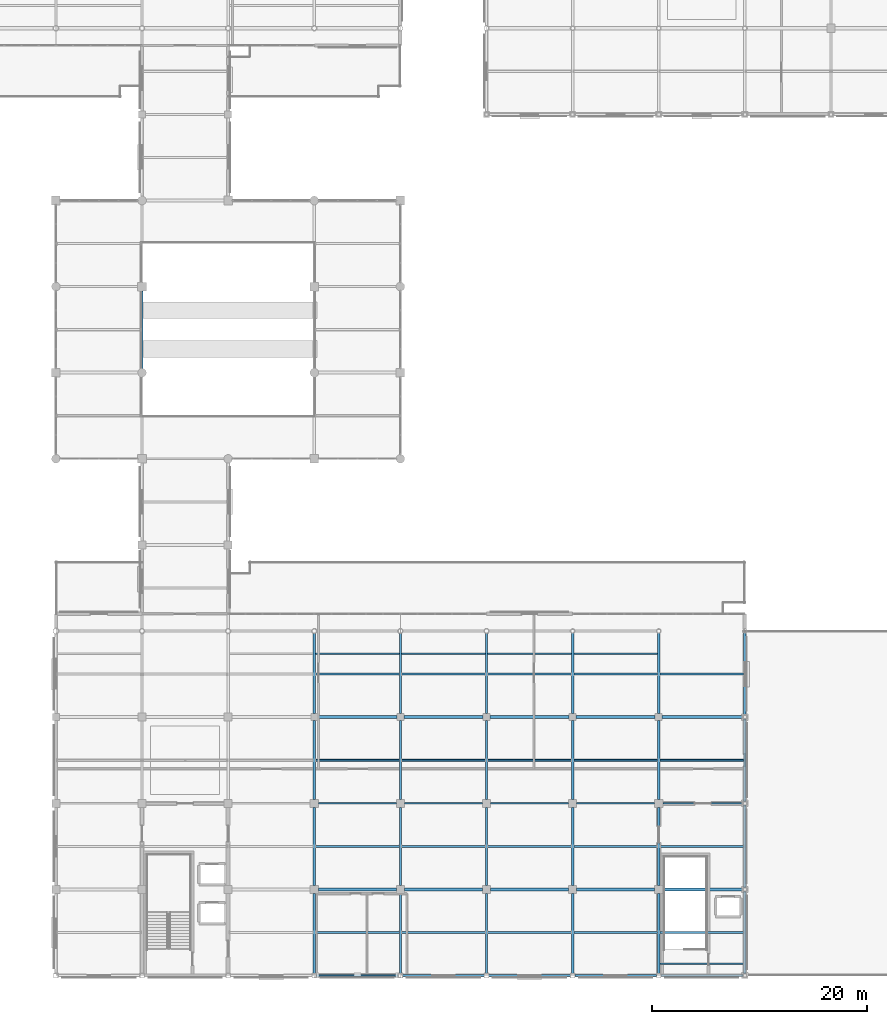
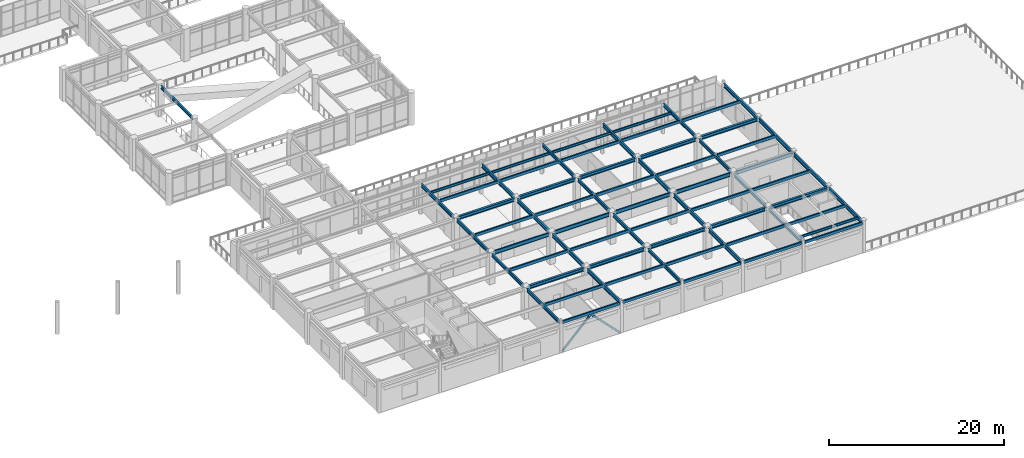
# One storey, part 24 of 93: 70 beams, 2 members.
"""IFC4 building model written with IfcOpenShell, lengths in metres."""

from ifc_helpers import new_model, si_unit, direction, frame, origin, origin_2d, place, context, subcontext, project, spatial, hollow_rectangle, i_section, extrude, material, material_profile, profile_set, type_object, element, save


model = new_model("IFC4")

# Units and contexts
model_context = context("Model", 3, precision=1e-05, world=origin(), true_north=direction((0.0, 1.0)))
body_context = subcontext(model_context, "Body", "Model", "MODEL_VIEW")
ifc_project = project(units=[si_unit("LENGTHUNIT", "METRE"), si_unit("AREAUNIT", "SQUARE_METRE"), si_unit("VOLUMEUNIT", "CUBIC_METRE"), si_unit("PLANEANGLEUNIT", "RADIAN"), si_unit("MASSUNIT", "GRAM", prefix="KILO")], contexts=[model_context])

# Site, building, storey
site_placement = place(None, origin())
site = spatial("IfcSite", under=ifc_project, at=site_placement, CompositionType="ELEMENT")
building_placement = place(site_placement, origin())
building = spatial("IfcBuilding", under=site, at=building_placement, Name="Solmirada Galleria", CompositionType="ELEMENT")
storey_placement = place(building_placement, frame((0.0, 0.0, 14.89990234375)))
storey = spatial("IfcBuildingStorey", under=building, at=storey_placement, Name="L03", CompositionType="ELEMENT", Elevation=14.89990234375)

# Beams
ifc_material_1 = material(Name="Steel S355 / ASTM A992 Grade 50", Category="steel")
ifc_material_profile_1 = material_profile(ifc_material_1, i_section(OverallWidth=0.281982421875, OverallDepth=0.467041015625, WebThickness=0.01220703125, FlangeThickness=0.01953125, FilletRadius=0.013916015625, at=origin_2d()), Name="W18X86")
ifc_profile_set_1 = profile_set([ifc_material_profile_1], Name="Steel S355 / ASTM A992 Grade 50")
beam_type_1 = type_object("IfcBeamType", Name="BM-GIRD-W18A", PredefinedType="BEAM", material=ifc_profile_set_1)
beam_1_placement = place(storey_placement, frame((104.375, 8.0, 4.066650390625), z_axis=(1.0, 0.0, 0.0), x_axis=(0.0, 1.0, 0.0)))
element("IfcBeam", 1, at=beam_1_placement, inside=storey, type_object=beam_type_1, Name="Primary beam L04 X(104..112, 8)", PredefinedType="BEAM", context=body_context, shape_type="SweptSolid", body=[
    extrude(i_section(OverallWidth=0.281982421875, OverallDepth=0.467041015625, WebThickness=0.01220703125, FlangeThickness=0.01953125, FilletRadius=0.013916015625, at=origin_2d()), origin(), (0.0, 0.0, 1.0), 7.25),
])
beam_2_placement = place(storey_placement, frame((104.324951171875, 24.0, 4.066650390625), z_axis=(1.0, 0.0, 0.0), x_axis=(0.0, 1.0, 0.0)))
element("IfcBeam", 2, at=beam_2_placement, inside=storey, type_object=beam_type_1, Name="Primary beam L04 X(104..112, 24)", PredefinedType="BEAM", context=body_context, shape_type="SweptSolid", body=[
    extrude(i_section(OverallWidth=0.281982421875, OverallDepth=0.467041015625, WebThickness=0.01220703125, FlangeThickness=0.01953125, FilletRadius=0.013916015625, at=origin_2d()), origin(), (0.0, 0.0, 1.0), 7.35009765625),
])
beam_3_placement = place(storey_placement, frame((112.375, 8.0, 4.066650390625), z_axis=(1.0, 0.0, 0.0), x_axis=(0.0, 1.0, 0.0)))
element("IfcBeam", 3, at=beam_3_placement, inside=storey, type_object=beam_type_1, Name="Primary beam L04 X(112..120, 8)", PredefinedType="BEAM", context=body_context, shape_type="SweptSolid", body=[
    extrude(i_section(OverallWidth=0.281982421875, OverallDepth=0.467041015625, WebThickness=0.01220703125, FlangeThickness=0.01953125, FilletRadius=0.013916015625, at=origin_2d()), origin(), (0.0, 0.0, 1.0), 7.25),
])
beam_4_placement = place(storey_placement, frame((112.324951171875, 24.0, 4.066650390625), z_axis=(1.0, 0.0, 0.0), x_axis=(0.0, 1.0, 0.0)))
element("IfcBeam", 4, at=beam_4_placement, inside=storey, type_object=beam_type_1, Name="Primary beam L04 X(112..120, 24)", PredefinedType="BEAM", context=body_context, shape_type="SweptSolid", body=[
    extrude(i_section(OverallWidth=0.281982421875, OverallDepth=0.467041015625, WebThickness=0.01220703125, FlangeThickness=0.01953125, FilletRadius=0.013916015625, at=origin_2d()), origin(), (0.0, 0.0, 1.0), 7.35009765625),
])
beam_5_placement = place(storey_placement, frame((120.375, 8.0, 4.066650390625), z_axis=(1.0, 0.0, 0.0), x_axis=(0.0, 1.0, 0.0)))
element("IfcBeam", 5, at=beam_5_placement, inside=storey, type_object=beam_type_1, Name="Primary beam L04 X(120..128, 8)", PredefinedType="BEAM", context=body_context, shape_type="SweptSolid", body=[
    extrude(i_section(OverallWidth=0.281982421875, OverallDepth=0.467041015625, WebThickness=0.01220703125, FlangeThickness=0.01953125, FilletRadius=0.013916015625, at=origin_2d()), origin(), (0.0, 0.0, 1.0), 7.25),
])
beam_6_placement = place(storey_placement, frame((120.324951171875, 24.0, 4.066650390625), z_axis=(1.0, 0.0, 0.0), x_axis=(0.0, 1.0, 0.0)))
element("IfcBeam", 6, at=beam_6_placement, inside=storey, type_object=beam_type_1, Name="Primary beam L04 X(120..128, 24)", PredefinedType="BEAM", context=body_context, shape_type="SweptSolid", body=[
    extrude(i_section(OverallWidth=0.281982421875, OverallDepth=0.467041015625, WebThickness=0.01220703125, FlangeThickness=0.01953125, FilletRadius=0.013916015625, at=origin_2d()), origin(), (0.0, 0.0, 1.0), 7.35009765625),
])
beam_7_placement = place(storey_placement, frame((128.375, 8.0, 4.066650390625), z_axis=(1.0, 0.0, 0.0), x_axis=(0.0, 1.0, 0.0)))
element("IfcBeam", 7, at=beam_7_placement, inside=storey, type_object=beam_type_1, Name="Primary beam L04 X(128..136, 8)", PredefinedType="BEAM", context=body_context, shape_type="SweptSolid", body=[
    extrude(i_section(OverallWidth=0.281982421875, OverallDepth=0.467041015625, WebThickness=0.01220703125, FlangeThickness=0.01953125, FilletRadius=0.013916015625, at=origin_2d()), origin(), (0.0, 0.0, 1.0), 7.25),
])
beam_8_placement = place(storey_placement, frame((128.324951171875, 24.0, 4.066650390625), z_axis=(1.0, 0.0, 0.0), x_axis=(0.0, 1.0, 0.0)))
element("IfcBeam", 8, at=beam_8_placement, inside=storey, type_object=beam_type_1, Name="Primary beam L04 X(128..136, 24)", PredefinedType="BEAM", context=body_context, shape_type="SweptSolid", body=[
    extrude(i_section(OverallWidth=0.281982421875, OverallDepth=0.467041015625, WebThickness=0.01220703125, FlangeThickness=0.01953125, FilletRadius=0.013916015625, at=origin_2d()), origin(), (0.0, 0.0, 1.0), 7.35009765625),
])
beam_9_placement = place(storey_placement, frame((136.375, 8.0, 4.026611328125), z_axis=(1.0, 0.0, 0.0), x_axis=(0.0, 1.0, 0.0)))
element("IfcBeam", 9, at=beam_9_placement, inside=storey, type_object=beam_type_1, Name="Primary beam L04 X(136..144, 8)", PredefinedType="BEAM", context=body_context, shape_type="SweptSolid", body=[
    extrude(i_section(OverallWidth=0.281982421875, OverallDepth=0.467041015625, WebThickness=0.01220703125, FlangeThickness=0.01953125, FilletRadius=0.013916015625, at=origin_2d()), origin(), (0.0, 0.0, 1.0), 7.447021484375),
])
beam_10_placement = place(storey_placement, frame((136.324951171875, 24.0, 4.026611328125), z_axis=(1.0, 0.0, 0.0), x_axis=(0.0, 1.0, 0.0)))
element("IfcBeam", 10, at=beam_10_placement, inside=storey, type_object=beam_type_1, Name="Primary beam L04 X(136..144, 24)", PredefinedType="BEAM", context=body_context, shape_type="SweptSolid", body=[
    extrude(i_section(OverallWidth=0.281982421875, OverallDepth=0.467041015625, WebThickness=0.01220703125, FlangeThickness=0.01953125, FilletRadius=0.013916015625, at=origin_2d()), origin(), (0.0, 0.0, 1.0), 7.4970703125),
])
ifc_material_profile_2 = material_profile(ifc_material_1, i_section(OverallWidth=0.194091796875, OverallDepth=0.468994140625, WebThickness=0.0126953125, FlangeThickness=0.0205078125, FilletRadius=0.013916015625, at=origin_2d()), Name="W18X71")
ifc_profile_set_2 = profile_set([ifc_material_profile_2], Name="Steel S355 / ASTM A992 Grade 50")
beam_type_2 = type_object("IfcBeamType", Name="BM-GIRD-W18B", PredefinedType="BEAM", material=ifc_profile_set_2)
beam_11_placement = place(storey_placement, frame((88.0, 56.3359375, 4.065673828125), z_axis=(0.0, 1.0, 0.0), x_axis=(-1.0, 0.0, 0.0)))
element("IfcBeam", 11, at=beam_11_placement, inside=storey, type_object=beam_type_2, Name="Primary girder L04 Y(88, 56..64)", PredefinedType="BEAM", context=body_context, shape_type="SweptSolid", body=[
    extrude(i_section(OverallWidth=0.194091796875, OverallDepth=0.468994140625, WebThickness=0.0126953125, FlangeThickness=0.0205078125, FilletRadius=0.013916015625, at=origin_2d()), origin(), (0.0, 0.0, 1.0), 7.26416015625),
])
beam_12_placement = place(storey_placement, frame((104.0, 0.202880859375, 4.065673828125), z_axis=(0.0, 1.0, 0.0), x_axis=(-1.0, 0.0, 0.0)))
element("IfcBeam", 12, at=beam_12_placement, inside=storey, type_object=beam_type_2, Name="Primary girder L04 Y(104, 0..8)", PredefinedType="BEAM", context=body_context, shape_type="SweptSolid", body=[
    extrude(i_section(OverallWidth=0.194091796875, OverallDepth=0.468994140625, WebThickness=0.0126953125, FlangeThickness=0.0205078125, FilletRadius=0.013916015625, at=origin_2d()), origin(), (0.0, 0.0, 1.0), 7.422119140625),
])
beam_13_placement = place(storey_placement, frame((104.0, 8.375, 4.065673828125), z_axis=(0.0, 1.0, 0.0), x_axis=(-1.0, 0.0, 0.0)))
element("IfcBeam", 13, at=beam_13_placement, inside=storey, type_object=beam_type_2, Name="Primary girder L04 Y(104, 8..16)", PredefinedType="BEAM", context=body_context, shape_type="SweptSolid", body=[
    extrude(i_section(OverallWidth=0.194091796875, OverallDepth=0.468994140625, WebThickness=0.0126953125, FlangeThickness=0.0205078125, FilletRadius=0.013916015625, at=origin_2d()), origin(), (0.0, 0.0, 1.0), 7.25),
])
beam_14_placement = place(storey_placement, frame((104.0, 16.375, 4.065673828125), z_axis=(0.0, 1.0, 0.0), x_axis=(-1.0, 0.0, 0.0)))
element("IfcBeam", 14, at=beam_14_placement, inside=storey, type_object=beam_type_2, Name="Primary girder L04 Y(104, 16..24)", PredefinedType="BEAM", context=body_context, shape_type="SweptSolid", body=[
    extrude(i_section(OverallWidth=0.194091796875, OverallDepth=0.468994140625, WebThickness=0.0126953125, FlangeThickness=0.0205078125, FilletRadius=0.013916015625, at=origin_2d()), origin(), (0.0, 0.0, 1.0), 7.300048828125),
])
beam_15_placement = place(storey_placement, frame((104.0, 24.324951171875, 4.025634765625), z_axis=(0.0, 1.0, 0.0), x_axis=(-1.0, 0.0, 0.0)))
element("IfcBeam", 15, at=beam_15_placement, inside=storey, type_object=beam_type_2, Name="Primary girder L04 Y(104, 24..32)", PredefinedType="BEAM", context=body_context, shape_type="SweptSolid", body=[
    extrude(i_section(OverallWidth=0.194091796875, OverallDepth=0.468994140625, WebThickness=0.0126953125, FlangeThickness=0.0205078125, FilletRadius=0.013916015625, at=origin_2d()), origin(), (0.0, 0.0, 1.0), 7.483154296875),
])
beam_16_placement = place(storey_placement, frame((120.0, 0.202880859375, 4.065673828125), z_axis=(0.0, 1.0, 0.0), x_axis=(-1.0, 0.0, 0.0)))
element("IfcBeam", 16, at=beam_16_placement, inside=storey, type_object=beam_type_2, Name="Primary girder L04 Y(120, 0..8)", PredefinedType="BEAM", context=body_context, shape_type="SweptSolid", body=[
    extrude(i_section(OverallWidth=0.194091796875, OverallDepth=0.468994140625, WebThickness=0.0126953125, FlangeThickness=0.0205078125, FilletRadius=0.013916015625, at=origin_2d()), origin(), (0.0, 0.0, 1.0), 7.422119140625),
])
beam_17_placement = place(storey_placement, frame((120.0, 8.375, 4.065673828125), z_axis=(0.0, 1.0, 0.0), x_axis=(-1.0, 0.0, 0.0)))
element("IfcBeam", 17, at=beam_17_placement, inside=storey, type_object=beam_type_2, Name="Primary girder L04 Y(120, 8..16)", PredefinedType="BEAM", context=body_context, shape_type="SweptSolid", body=[
    extrude(i_section(OverallWidth=0.194091796875, OverallDepth=0.468994140625, WebThickness=0.0126953125, FlangeThickness=0.0205078125, FilletRadius=0.013916015625, at=origin_2d()), origin(), (0.0, 0.0, 1.0), 7.25),
])
beam_18_placement = place(storey_placement, frame((120.0, 16.375, 4.065673828125), z_axis=(0.0, 1.0, 0.0), x_axis=(-1.0, 0.0, 0.0)))
element("IfcBeam", 18, at=beam_18_placement, inside=storey, type_object=beam_type_2, Name="Primary girder L04 Y(120, 16..24)", PredefinedType="BEAM", context=body_context, shape_type="SweptSolid", body=[
    extrude(i_section(OverallWidth=0.194091796875, OverallDepth=0.468994140625, WebThickness=0.0126953125, FlangeThickness=0.0205078125, FilletRadius=0.013916015625, at=origin_2d()), origin(), (0.0, 0.0, 1.0), 7.300048828125),
])
beam_19_placement = place(storey_placement, frame((120.0, 24.324951171875, 4.025634765625), z_axis=(0.0, 1.0, 0.0), x_axis=(-1.0, 0.0, 0.0)))
element("IfcBeam", 19, at=beam_19_placement, inside=storey, type_object=beam_type_2, Name="Primary girder L04 Y(120, 24..32)", PredefinedType="BEAM", context=body_context, shape_type="SweptSolid", body=[
    extrude(i_section(OverallWidth=0.194091796875, OverallDepth=0.468994140625, WebThickness=0.0126953125, FlangeThickness=0.0205078125, FilletRadius=0.013916015625, at=origin_2d()), origin(), (0.0, 0.0, 1.0), 7.483154296875),
])
beam_20_placement = place(storey_placement, frame((136.0, 0.202880859375, 4.025634765625), z_axis=(0.0, 1.0, 0.0), x_axis=(-1.0, 0.0, 0.0)))
element("IfcBeam", 20, at=beam_20_placement, inside=storey, type_object=beam_type_2, Name="Primary girder L04 Y(136, 0..8)", PredefinedType="BEAM", context=body_context, shape_type="SweptSolid", body=[
    extrude(i_section(OverallWidth=0.194091796875, OverallDepth=0.468994140625, WebThickness=0.0126953125, FlangeThickness=0.0205078125, FilletRadius=0.013916015625, at=origin_2d()), origin(), (0.0, 0.0, 1.0), 7.422119140625),
])
beam_21_placement = place(storey_placement, frame((136.0, 8.375, 4.025634765625), z_axis=(0.0, 1.0, 0.0), x_axis=(-1.0, 0.0, 0.0)))
element("IfcBeam", 21, at=beam_21_placement, inside=storey, type_object=beam_type_2, Name="Primary girder L04 Y(136, 8..16)", PredefinedType="BEAM", context=body_context, shape_type="SweptSolid", body=[
    extrude(i_section(OverallWidth=0.194091796875, OverallDepth=0.468994140625, WebThickness=0.0126953125, FlangeThickness=0.0205078125, FilletRadius=0.013916015625, at=origin_2d()), origin(), (0.0, 0.0, 1.0), 7.25),
])
beam_22_placement = place(storey_placement, frame((136.0, 16.375, 4.025634765625), z_axis=(0.0, 1.0, 0.0), x_axis=(-1.0, 0.0, 0.0)))
element("IfcBeam", 22, at=beam_22_placement, inside=storey, type_object=beam_type_2, Name="Primary girder L04 Y(136, 16..24)", PredefinedType="BEAM", context=body_context, shape_type="SweptSolid", body=[
    extrude(i_section(OverallWidth=0.194091796875, OverallDepth=0.468994140625, WebThickness=0.0126953125, FlangeThickness=0.0205078125, FilletRadius=0.013916015625, at=origin_2d()), origin(), (0.0, 0.0, 1.0), 7.300048828125),
])
beam_23_placement = place(storey_placement, frame((136.0, 24.324951171875, 4.025634765625), z_axis=(0.0, 1.0, 0.0), x_axis=(-1.0, 0.0, 0.0)))
element("IfcBeam", 23, at=beam_23_placement, inside=storey, type_object=beam_type_2, Name="Primary girder L04 Y(136, 24..32)", PredefinedType="BEAM", context=body_context, shape_type="SweptSolid", body=[
    extrude(i_section(OverallWidth=0.194091796875, OverallDepth=0.468994140625, WebThickness=0.0126953125, FlangeThickness=0.0205078125, FilletRadius=0.013916015625, at=origin_2d()), origin(), (0.0, 0.0, 1.0), 7.504638671875),
])
ifc_material_profile_3 = material_profile(ifc_material_1, i_section(OverallWidth=0.2099609375, OverallDepth=0.537109375, WebThickness=0.010986328125, FlangeThickness=0.017333984375, FilletRadius=0.014892578125, at=origin_2d()), Name="W21X68")
ifc_profile_set_3 = profile_set([ifc_material_profile_3], Name="Steel S355 / ASTM A992 Grade 50")
beam_type_3 = type_object("IfcBeamType", Name="BM-GIRD-W21B", PredefinedType="BEAM", material=ifc_profile_set_3)
beam_24_placement = place(storey_placement, frame((112.0, 0.202880859375, 4.031494140625), z_axis=(0.0, 1.0, 0.0), x_axis=(-1.0, 0.0, 0.0)))
element("IfcBeam", 24, at=beam_24_placement, inside=storey, type_object=beam_type_3, Name="Primary girder L04 Y(112, 0..8)", PredefinedType="BEAM", context=body_context, shape_type="SweptSolid", body=[
    extrude(i_section(OverallWidth=0.2099609375, OverallDepth=0.537109375, WebThickness=0.010986328125, FlangeThickness=0.017333984375, FilletRadius=0.014892578125, at=origin_2d()), origin(), (0.0, 0.0, 1.0), 7.422119140625),
])
beam_25_placement = place(storey_placement, frame((112.0, 8.375, 4.031494140625), z_axis=(0.0, 1.0, 0.0), x_axis=(-1.0, 0.0, 0.0)))
element("IfcBeam", 25, at=beam_25_placement, inside=storey, type_object=beam_type_3, Name="Primary girder L04 Y(112, 8..16)", PredefinedType="BEAM", context=body_context, shape_type="SweptSolid", body=[
    extrude(i_section(OverallWidth=0.2099609375, OverallDepth=0.537109375, WebThickness=0.010986328125, FlangeThickness=0.017333984375, FilletRadius=0.014892578125, at=origin_2d()), origin(), (0.0, 0.0, 1.0), 7.25),
])
beam_26_placement = place(storey_placement, frame((112.0, 16.375, 4.031494140625), z_axis=(0.0, 1.0, 0.0), x_axis=(-1.0, 0.0, 0.0)))
element("IfcBeam", 26, at=beam_26_placement, inside=storey, type_object=beam_type_3, Name="Primary girder L04 Y(112, 16..24)", PredefinedType="BEAM", context=body_context, shape_type="SweptSolid", body=[
    extrude(i_section(OverallWidth=0.2099609375, OverallDepth=0.537109375, WebThickness=0.010986328125, FlangeThickness=0.017333984375, FilletRadius=0.014892578125, at=origin_2d()), origin(), (0.0, 0.0, 1.0), 7.300048828125),
])
beam_27_placement = place(storey_placement, frame((112.0, 24.324951171875, 3.99169921875), z_axis=(0.0, 1.0, 0.0), x_axis=(-1.0, 0.0, 0.0)))
element("IfcBeam", 27, at=beam_27_placement, inside=storey, type_object=beam_type_3, Name="Primary girder L04 Y(112, 24..32)", PredefinedType="BEAM", context=body_context, shape_type="SweptSolid", body=[
    extrude(i_section(OverallWidth=0.2099609375, OverallDepth=0.537109375, WebThickness=0.010986328125, FlangeThickness=0.017333984375, FilletRadius=0.014892578125, at=origin_2d()), origin(), (0.0, 0.0, 1.0), 7.483154296875),
])
beam_28_placement = place(storey_placement, frame((128.0, 0.202880859375, 4.031494140625), z_axis=(0.0, 1.0, 0.0), x_axis=(-1.0, 0.0, 0.0)))
element("IfcBeam", 28, at=beam_28_placement, inside=storey, type_object=beam_type_3, Name="Primary girder L04 Y(128, 0..8)", PredefinedType="BEAM", context=body_context, shape_type="SweptSolid", body=[
    extrude(i_section(OverallWidth=0.2099609375, OverallDepth=0.537109375, WebThickness=0.010986328125, FlangeThickness=0.017333984375, FilletRadius=0.014892578125, at=origin_2d()), origin(), (0.0, 0.0, 1.0), 7.422119140625),
])
beam_29_placement = place(storey_placement, frame((128.0, 8.375, 4.031494140625), z_axis=(0.0, 1.0, 0.0), x_axis=(-1.0, 0.0, 0.0)))
element("IfcBeam", 29, at=beam_29_placement, inside=storey, type_object=beam_type_3, Name="Primary girder L04 Y(128, 8..16)", PredefinedType="BEAM", context=body_context, shape_type="SweptSolid", body=[
    extrude(i_section(OverallWidth=0.2099609375, OverallDepth=0.537109375, WebThickness=0.010986328125, FlangeThickness=0.017333984375, FilletRadius=0.014892578125, at=origin_2d()), origin(), (0.0, 0.0, 1.0), 7.25),
])
beam_30_placement = place(storey_placement, frame((128.0, 16.375, 4.031494140625), z_axis=(0.0, 1.0, 0.0), x_axis=(-1.0, 0.0, 0.0)))
element("IfcBeam", 30, at=beam_30_placement, inside=storey, type_object=beam_type_3, Name="Primary girder L04 Y(128, 16..24)", PredefinedType="BEAM", context=body_context, shape_type="SweptSolid", body=[
    extrude(i_section(OverallWidth=0.2099609375, OverallDepth=0.537109375, WebThickness=0.010986328125, FlangeThickness=0.017333984375, FilletRadius=0.014892578125, at=origin_2d()), origin(), (0.0, 0.0, 1.0), 7.300048828125),
])
beam_31_placement = place(storey_placement, frame((128.0, 24.324951171875, 3.99169921875), z_axis=(0.0, 1.0, 0.0), x_axis=(-1.0, 0.0, 0.0)))
element("IfcBeam", 31, at=beam_31_placement, inside=storey, type_object=beam_type_3, Name="Primary girder L04 Y(128, 24..32)", PredefinedType="BEAM", context=body_context, shape_type="SweptSolid", body=[
    extrude(i_section(OverallWidth=0.2099609375, OverallDepth=0.537109375, WebThickness=0.010986328125, FlangeThickness=0.017333984375, FilletRadius=0.014892578125, at=origin_2d()), origin(), (0.0, 0.0, 1.0), 7.504638671875),
])
for number, where, z_axis, x_axis, name in (
    (32, (144.0, 0.177978515625, 3.99169921875), (0.0, 1.0, 0.0), (-1.0, 0.0, 0.0), "Primary girder L04 Y(144, 0..8)"),
    (33, (144.0, 8.177978515625, 3.99169921875), (0.0, 1.0, 0.0), (-1.0, 0.0, 0.0), "Primary girder L04 Y(144, 8..16)"),
    (34, (144.0, 16.177978515625, 3.99169921875), (0.0, 1.0, 0.0), (-1.0, 0.0, 0.0), "Primary girder L04 Y(144, 16..24)"),
):
    element("IfcBeam", number, at=place(storey_placement, frame(where, z_axis=z_axis, x_axis=x_axis)), inside=storey, type_object=beam_type_3, Name=name, PredefinedType="BEAM", context=body_context, shape_type="SweptSolid", body=[
        extrude(i_section(OverallWidth=0.2099609375, OverallDepth=0.537109375, WebThickness=0.010986328125, FlangeThickness=0.017333984375, FilletRadius=0.014892578125, at=origin_2d()), origin(), (0.0, 0.0, 1.0), 7.64404296875),
    ])
beam_32_placement = place(storey_placement, frame((144.0, 24.177978515625, 3.99169921875), z_axis=(0.0, 1.0, 0.0), x_axis=(-1.0, 0.0, 0.0)))
element("IfcBeam", 35, at=beam_32_placement, inside=storey, type_object=beam_type_3, Name="Primary girder L04 Y(144, 24..32)", PredefinedType="BEAM", context=body_context, shape_type="SweptSolid", body=[
    extrude(i_section(OverallWidth=0.2099609375, OverallDepth=0.537109375, WebThickness=0.010986328125, FlangeThickness=0.017333984375, FilletRadius=0.014892578125, at=origin_2d()), origin(), (0.0, 0.0, 1.0), 7.651611328125),
])
ifc_material_profile_4 = material_profile(ifc_material_1, i_section(OverallWidth=0.1669921875, OverallDepth=0.534912109375, WebThickness=0.01025390625, FlangeThickness=0.0166015625, FilletRadius=0.013916015625, at=origin_2d()), Name="W21X57")
ifc_profile_set_4 = profile_set([ifc_material_profile_4], Name="Steel S355 / ASTM A992 Grade 50")
beam_type_4 = type_object("IfcBeamType", Name="BM-GIRD-W21C", PredefinedType="BEAM", material=ifc_profile_set_4)
for number, where, z_axis, x_axis, name in (
    (36, (104.375, 16.0, 4.03271484375), (1.0, 0.0, 0.0), (0.0, 1.0, 0.0), "Primary beam L04 X(104..112, 16)"),
    (37, (112.375, 16.0, 4.03271484375), (1.0, 0.0, 0.0), (0.0, 1.0, 0.0), "Primary beam L04 X(112..120, 16)"),
    (38, (120.375, 16.0, 4.03271484375), (1.0, 0.0, 0.0), (0.0, 1.0, 0.0), "Primary beam L04 X(120..128, 16)"),
    (39, (128.375, 16.0, 4.03271484375), (1.0, 0.0, 0.0), (0.0, 1.0, 0.0), "Primary beam L04 X(128..136, 16)"),
):
    element("IfcBeam", number, at=place(storey_placement, frame(where, z_axis=z_axis, x_axis=x_axis)), inside=storey, type_object=beam_type_4, Name=name, PredefinedType="BEAM", context=body_context, shape_type="SweptSolid", body=[
        extrude(i_section(OverallWidth=0.1669921875, OverallDepth=0.534912109375, WebThickness=0.01025390625, FlangeThickness=0.0166015625, FilletRadius=0.013916015625, at=origin_2d()), origin(), (0.0, 0.0, 1.0), 7.25),
    ])
beam_33_placement = place(storey_placement, frame((136.375, 16.0, 3.99267578125), z_axis=(1.0, 0.0, 0.0), x_axis=(0.0, 1.0, 0.0)))
element("IfcBeam", 40, at=beam_33_placement, inside=storey, type_object=beam_type_4, Name="Primary beam L04 X(136..144, 16)", PredefinedType="BEAM", context=body_context, shape_type="SweptSolid", body=[
    extrude(i_section(OverallWidth=0.1669921875, OverallDepth=0.534912109375, WebThickness=0.01025390625, FlangeThickness=0.0166015625, FilletRadius=0.013916015625, at=origin_2d()), origin(), (0.0, 0.0, 1.0), 7.447021484375),
])
ifc_material_profile_5 = material_profile(ifc_material_1, i_section(OverallWidth=0.1708984375, OverallDepth=0.35205078125, WebThickness=0.0068359375, FlangeThickness=0.009765625, FilletRadius=0.010986328125, at=origin_2d()), Name="W14X30")
ifc_profile_set_5 = profile_set([ifc_material_profile_5], Name="Steel S355 / ASTM A992 Grade 50")
beam_type_5 = type_object("IfcBeamType", Name="BM-JST-W14B", PredefinedType="JOIST", material=ifc_profile_set_5)
for number, where, z_axis, x_axis, name in (
    (41, (104.096923828125, 29.89990234375, 4.083984375), (1.0, 0.0, 0.0), (0.0, 1.0, 0.0), "Terrace deck joist L04-TERR-SE X=104..112 (1)"),
    (42, (112.10498046875, 29.89990234375, 4.083984375), (1.0, 0.0, 0.0), (0.0, 1.0, 0.0), "Terrace deck joist L04-TERR-SE X=112..120 (1)"),
    (43, (120.096923828125, 29.89990234375, 4.083984375), (1.0, 0.0, 0.0), (0.0, 1.0, 0.0), "Terrace deck joist L04-TERR-SE X=120..128 (1)"),
    (44, (128.10498046875, 29.89990234375, 4.083984375), (1.0, 0.0, 0.0), (0.0, 1.0, 0.0), "Terrace deck joist L04-TERR-SE X=128..136 (1)"),
    (45, (136.096923828125, 1.10009765625, 4.083984375), (1.0, 0.0, 0.0), (0.0, 1.0, 0.0), "Terrace deck joist L04-TERR-SE-STEP X=136..144 (1)"),
):
    element("IfcBeam", number, at=place(storey_placement, frame(where, z_axis=z_axis, x_axis=x_axis)), inside=storey, type_object=beam_type_5, Name=name, PredefinedType="JOIST", context=body_context, shape_type="SweptSolid", body=[
        extrude(i_section(OverallWidth=0.1708984375, OverallDepth=0.35205078125, WebThickness=0.0068359375, FlangeThickness=0.009765625, FilletRadius=0.010986328125, at=origin_2d()), origin(), (0.0, 0.0, 1.0), 7.798095703125),
    ])
ifc_material_2 = material(Name="Steel S355 / ASTM A500 Grade C", Category="steel")
ifc_material_profile_6 = material_profile(ifc_material_2, hollow_rectangle(XDim=0.202880859375, YDim=0.406005859375, WallThickness=0.01171875, InnerFilletRadius=0.01171875, OuterFilletRadius=0.023681640625, at=origin_2d()), Name="HSS16X8X1/2")
ifc_profile_set_6 = profile_set([ifc_material_profile_6], Name="Steel S355 / ASTM A500 Grade C")
beam_type_6 = type_object("IfcBeamType", Name="BM-JST-W16B", PredefinedType="JOIST", material=ifc_profile_set_6)
for number, where, z_axis, x_axis, name in (
    (46, (104.096923828125, 4.0, 4.09716796875), (1.0, 0.0, 0.0), (0.0, 1.0, 0.0), "Composite floor joist L04 (104..112, 4.0)"),
    (47, (104.096923828125, 12.0, 4.09716796875), (1.0, 0.0, 0.0), (0.0, 1.0, 0.0), "Composite floor joist L04 (104..112, 12.0)"),
    (48, (104.096923828125, 20.0, 4.09716796875), (1.0, 0.0, 0.0), (0.0, 1.0, 0.0), "Composite floor joist L04 (104..112, 20.0)"),
    (49, (104.096923828125, 28.0, 4.05712890625), (1.0, 0.0, 0.0), (0.0, 1.0, 0.0), "Composite floor joist L04 (104..112, 28.0)"),
    (50, (112.10498046875, 4.0, 4.09716796875), (1.0, 0.0, 0.0), (0.0, 1.0, 0.0), "Composite floor joist L04 (112..120, 4.0)"),
    (51, (112.10498046875, 12.0, 4.09716796875), (1.0, 0.0, 0.0), (0.0, 1.0, 0.0), "Composite floor joist L04 (112..120, 12.0)"),
    (52, (112.10498046875, 20.0, 4.09716796875), (1.0, 0.0, 0.0), (0.0, 1.0, 0.0), "Composite floor joist L04 (112..120, 20.0)"),
    (53, (112.10498046875, 28.0, 4.05712890625), (1.0, 0.0, 0.0), (0.0, 1.0, 0.0), "Composite floor joist L04 (112..120, 28.0)"),
    (54, (120.096923828125, 4.0, 4.09716796875), (1.0, 0.0, 0.0), (0.0, 1.0, 0.0), "Composite floor joist L04 (120..128, 4.0)"),
    (55, (120.096923828125, 12.0, 4.09716796875), (1.0, 0.0, 0.0), (0.0, 1.0, 0.0), "Composite floor joist L04 (120..128, 12.0)"),
    (56, (120.096923828125, 20.0, 4.09716796875), (1.0, 0.0, 0.0), (0.0, 1.0, 0.0), "Composite floor joist L04 (120..128, 20.0)"),
    (57, (120.096923828125, 28.0, 4.05712890625), (1.0, 0.0, 0.0), (0.0, 1.0, 0.0), "Composite floor joist L04 (120..128, 28.0)"),
    (58, (128.10498046875, 4.0, 4.05712890625), (1.0, 0.0, 0.0), (0.0, 1.0, 0.0), "Composite floor joist L04 (128..136, 4.0)"),
    (59, (128.10498046875, 12.0, 4.05712890625), (1.0, 0.0, 0.0), (0.0, 1.0, 0.0), "Composite floor joist L04 (128..136, 12.0)"),
    (60, (128.10498046875, 20.0, 4.05712890625), (1.0, 0.0, 0.0), (0.0, 1.0, 0.0), "Composite floor joist L04 (128..136, 20.0)"),
    (61, (128.10498046875, 28.0, 4.05712890625), (1.0, 0.0, 0.0), (0.0, 1.0, 0.0), "Composite floor joist L04 (128..136, 28.0)"),
    (62, (136.096923828125, 4.0, 4.05712890625), (1.0, 0.0, 0.0), (0.0, 1.0, 0.0), "Composite floor joist L04 (136..144, 4.0)"),
    (63, (136.096923828125, 12.0, 4.05712890625), (1.0, 0.0, 0.0), (0.0, 1.0, 0.0), "Composite floor joist L04 (136..144, 12.0)"),
    (64, (136.096923828125, 20.0, 4.05712890625), (1.0, 0.0, 0.0), (0.0, 1.0, 0.0), "Composite floor joist L04 (136..144, 20.0)"),
    (65, (136.096923828125, 28.0, 4.05712890625), (1.0, 0.0, 0.0), (0.0, 1.0, 0.0), "Composite floor joist L04 (136..144, 28.0)"),
):
    element("IfcBeam", number, at=place(storey_placement, frame(where, z_axis=z_axis, x_axis=x_axis)), inside=storey, type_object=beam_type_6, Name=name, PredefinedType="JOIST", context=body_context, shape_type="SweptSolid", body=[
        extrude(hollow_rectangle(XDim=0.202880859375, YDim=0.406005859375, WallThickness=0.01171875, InnerFilletRadius=0.01171875, OuterFilletRadius=0.023681640625, at=origin_2d()), origin(), (0.0, 0.0, 1.0), 7.798095703125),
    ])
ifc_material_profile_7 = material_profile(ifc_material_2, hollow_rectangle(XDim=0.202880859375, YDim=0.406005859375, WallThickness=0.01171875, InnerFilletRadius=0.01171875, OuterFilletRadius=0.023681640625, at=origin_2d()), Name="HSS16X8X1/2")
ifc_profile_set_7 = profile_set([ifc_material_profile_7], Name="Steel S355 / ASTM A500 Grade C")
beam_type_7 = type_object("IfcBeamType", Name="BM-SPAND-W16A", PredefinedType="SPANDREL", material=ifc_profile_set_7)
for number, where, z_axis, x_axis, name in (
    (66, (104.202880859375, 0.0, 4.09716796875), (1.0, 0.0, 0.0), (0.0, 1.0, 0.0), "Primary beam L04 X(104..112, 0)"),
    (67, (112.202880859375, 0.0, 4.09716796875), (1.0, 0.0, 0.0), (0.0, 1.0, 0.0), "Primary beam L04 X(112..120, 0)"),
    (68, (120.202880859375, 0.0, 4.09716796875), (1.0, 0.0, 0.0), (0.0, 1.0, 0.0), "Primary beam L04 X(120..128, 0)"),
    (69, (128.202880859375, 0.0, 4.09716796875), (1.0, 0.0, 0.0), (0.0, 1.0, 0.0), "Primary beam L04 X(128..136, 0)"),
):
    element("IfcBeam", number, at=place(storey_placement, frame(where, z_axis=z_axis, x_axis=x_axis)), inside=storey, type_object=beam_type_7, Name=name, PredefinedType="SPANDREL", context=body_context, shape_type="SweptSolid", body=[
        extrude(hollow_rectangle(XDim=0.202880859375, YDim=0.406005859375, WallThickness=0.01171875, InnerFilletRadius=0.01171875, OuterFilletRadius=0.023681640625, at=origin_2d()), origin(), (0.0, 0.0, 1.0), 7.59423828125),
    ])
beam_34_placement = place(storey_placement, frame((136.202880859375, 0.0, 4.05712890625), z_axis=(1.0, 0.0, 0.0), x_axis=(0.0, 1.0, 0.0)))
element("IfcBeam", 70, at=beam_34_placement, inside=storey, type_object=beam_type_7, Name="Primary beam L04 X(136..144, 0)", PredefinedType="SPANDREL", context=body_context, shape_type="SweptSolid", body=[
    extrude(hollow_rectangle(XDim=0.202880859375, YDim=0.406005859375, WallThickness=0.01171875, InnerFilletRadius=0.01171875, OuterFilletRadius=0.023681640625, at=origin_2d()), origin(), (0.0, 0.0, 1.0), 7.619140625),
])

# Members
ifc_material_profile_8 = material_profile(ifc_material_2, hollow_rectangle(XDim=0.152099609375, YDim=0.25390625, WallThickness=0.0087890625, InnerFilletRadius=0.0087890625, OuterFilletRadius=0.017822265625, at=origin_2d()), Name="HSS10X6X3/8")
ifc_profile_set_8 = profile_set([ifc_material_profile_8], Name="Steel S355 / ASTM A500 Grade C")
member_type = type_object("IfcMemberType", Name="MEM-CBF-EXT", PredefinedType="BRACE", material=ifc_profile_set_8)
for number, where, z_axis, x_axis, name in (
    (71, (104.202880859375, 0.0, 0.02001953125), (0.701266400883, 0.0, 0.712899316168), (0.0, 1.0, 0.0), "Braced frame diagonal CBF-S1 L03 A"),
    (72, (111.797119140625, 0.0, 0.02001953125), (-0.701266400883, 0.0, 0.712899316168), (0.0, -1.0, 0.0), "Braced frame diagonal CBF-S1 L03 B"),
):
    element("IfcMember", number, at=place(storey_placement, frame(where, z_axis=z_axis, x_axis=x_axis)), inside=storey, type_object=member_type, Name=name, PredefinedType="BRACE", context=body_context, shape_type="SweptSolid", body=[
        extrude(hollow_rectangle(XDim=0.152099609375, YDim=0.25390625, WallThickness=0.0087890625, InnerFilletRadius=0.0087890625, OuterFilletRadius=0.017822265625, at=origin_2d()), origin(), (0.0, 0.0, 1.0), 5.41455078125),
    ])

save(model, "model.ifc")
